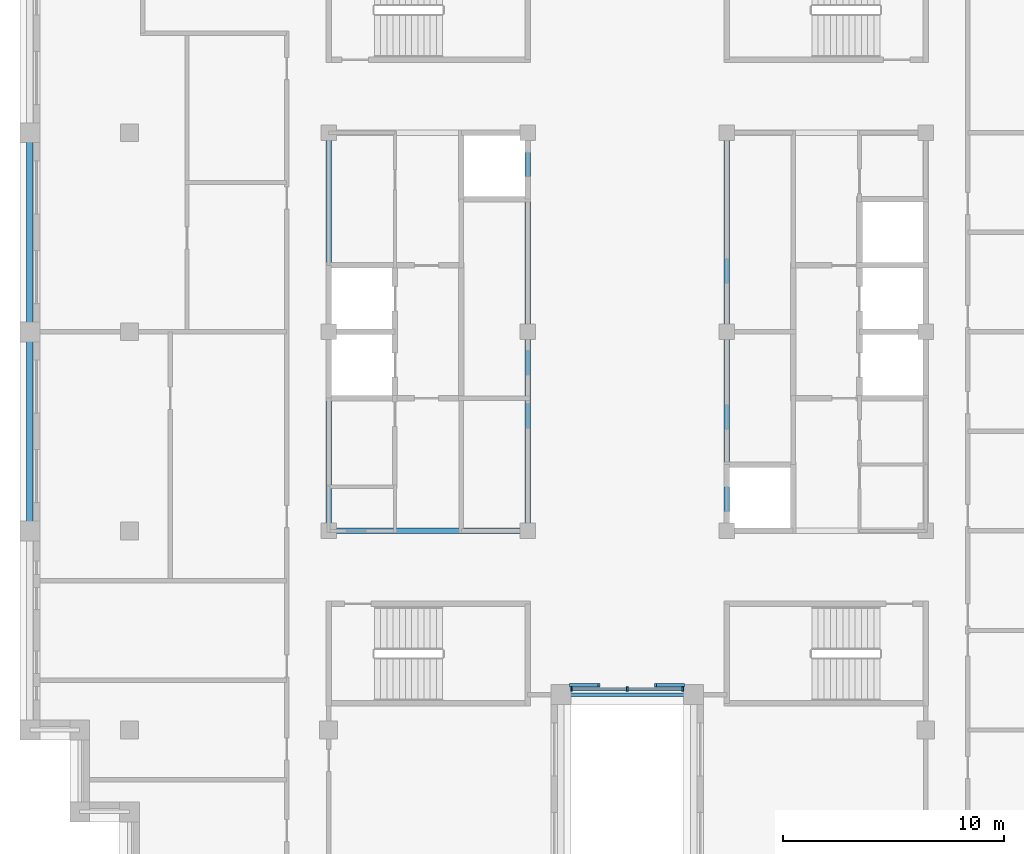
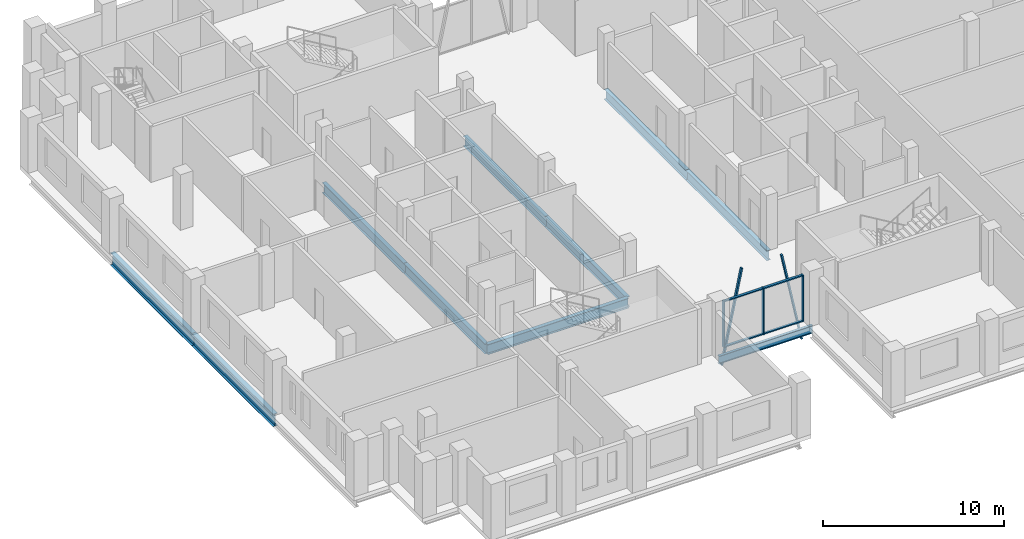
# One storey, part 2 of 13: 10 beams, 9 members, 1 element without a shape of its own.
"""IFC4 building model written with IfcOpenShell, lengths in metres."""

from ifc_helpers import new_model, si_unit, direction, frame, origin, origin_2d, place, context, subcontext, project, spatial, rectangle, i_section, extrude, material, layer, layer_set, material_profile, profile_set, type_object, element, aggregate, save


model = new_model("IFC4")

# Units and contexts
model_context = context("Model", 3, precision=1e-05, world=origin(), true_north=direction((0.0, 1.0)))
body_context = subcontext(model_context, "Body", "Model", "MODEL_VIEW")
ifc_project = project(units=[si_unit("LENGTHUNIT", "METRE"), si_unit("AREAUNIT", "SQUARE_METRE"), si_unit("VOLUMEUNIT", "CUBIC_METRE"), si_unit("PLANEANGLEUNIT", "RADIAN"), si_unit("MASSUNIT", "GRAM", prefix="KILO")], contexts=[model_context])

# Site, building, storey
site_placement = place(None, origin())
site = spatial("IfcSite", under=ifc_project, at=site_placement, CompositionType="ELEMENT")
building_placement = place(site_placement, origin())
building = spatial("IfcBuilding", under=site, at=building_placement, Name="Corbelhall Arena Tower", CompositionType="ELEMENT")
storey_placement = place(building_placement, frame((0.0, 0.0, 342.0)))
storey = spatial("IfcBuildingStorey", under=building, at=storey_placement, Name="L75", CompositionType="ELEMENT", Elevation=342.0)

# Curtain wall, members
ifc_material_1 = material(Name="Aluminium black anodised", Category="aluminium")
ifc_layer = layer(ifc_material_1, 0.199951171875)
ifc_layer_set = layer_set([ifc_layer], Name="EV-CW1 Slot back wall")
curtain_wall_type = type_object("IfcCurtainWallType", Name="EV-CW1 Slot back wall", PredefinedType="NOTDEFINED", material=ifc_layer_set)
curtain_wall_placement = place(storey_placement, origin())
curtain_wall = element("IfcCurtainWall", 1, at=curtain_wall_placement, inside=storey, type_object=curtain_wall_type, Name="Curtain wall CW1", PredefinedType="NOTDEFINED")
ifc_material_profile_1 = material_profile(ifc_material_1, rectangle(XDim=0.199951171875, YDim=0.074951171875, at=origin_2d()))
ifc_profile_set_1 = profile_set([ifc_material_profile_1], Name="Aluminium black anodised")
member_type_1 = type_object("IfcMemberType", Name="EV-CW1-MULLION", PredefinedType="MULLION", material=ifc_profile_set_1)
member_1_placement = place(storey_placement, frame((-2.512451171875, -16.14990234375, 0.0), z_axis=(0.0, 0.0, 1.0), x_axis=(0.0, 1.0, 0.0)))
member_1 = element("IfcMember", 2, at=member_1_placement, type_object=member_type_1, Name="CW1 mullion 1", PredefinedType="MULLION", context=body_context, shape_type="SweptSolid", body=[
    extrude(rectangle(XDim=0.199951171875, YDim=0.074951171875, at=origin_2d()), origin(), (0.0, 0.0, 1.0), 3.139892578125),
])
member_2_placement = place(storey_placement, frame((0.0, -16.14990234375, 0.0), z_axis=(0.0, 0.0, 1.0), x_axis=(0.0, 1.0, 0.0)))
member_2 = element("IfcMember", 3, at=member_2_placement, type_object=member_type_1, Name="CW1 mullion 2", PredefinedType="MULLION", context=body_context, shape_type="SweptSolid", body=[
    extrude(rectangle(XDim=0.199951171875, YDim=0.074951171875, at=origin_2d()), origin(), (0.0, 0.0, 1.0), 3.139892578125),
])
member_3_placement = place(storey_placement, frame((2.512451171875, -16.14990234375, 0.0), z_axis=(0.0, 0.0, 1.0), x_axis=(0.0, 1.0, 0.0)))
member_3 = element("IfcMember", 4, at=member_3_placement, type_object=member_type_1, Name="CW1 mullion 3", PredefinedType="MULLION", context=body_context, shape_type="SweptSolid", body=[
    extrude(rectangle(XDim=0.199951171875, YDim=0.074951171875, at=origin_2d()), origin(), (0.0, 0.0, 1.0), 3.139892578125),
])
ifc_material_profile_2 = material_profile(ifc_material_1, rectangle(XDim=0.14990234375, YDim=0.074951171875, at=origin_2d()))
ifc_profile_set_2 = profile_set([ifc_material_profile_2], Name="Aluminium black anodised")
member_type_2 = type_object("IfcMemberType", Name="EV-CW1-TRANSOM", PredefinedType="USERDEFINED", material=ifc_profile_set_2)
member_4_placement = place(storey_placement, frame((-2.47509765625, -16.14990234375, 0.03759765625), z_axis=(1.0, 0.0, 0.0), x_axis=(0.0, 1.0, 0.0)))
member_4 = element("IfcMember", 5, at=member_4_placement, type_object=member_type_2, Name="CW1 transom 1.1", ObjectType="transom", PredefinedType="USERDEFINED", context=body_context, shape_type="SweptSolid", body=[
    extrude(rectangle(XDim=0.14990234375, YDim=0.074951171875, at=origin_2d()), origin(), (0.0, 0.0, 1.0), 2.4375),
])
member_5_placement = place(storey_placement, frame((-2.47509765625, -16.14990234375, 3.1025390625), z_axis=(1.0, 0.0, 0.0), x_axis=(0.0, 1.0, 0.0)))
member_5 = element("IfcMember", 6, at=member_5_placement, type_object=member_type_2, Name="CW1 transom 1.2", ObjectType="transom", PredefinedType="USERDEFINED", context=body_context, shape_type="SweptSolid", body=[
    extrude(rectangle(XDim=0.14990234375, YDim=0.074951171875, at=origin_2d()), origin(), (0.0, 0.0, 1.0), 2.4375),
])
member_6_placement = place(storey_placement, frame((0.03759765625, -16.14990234375, 0.03759765625), z_axis=(1.0, 0.0, 0.0), x_axis=(0.0, 1.0, 0.0)))
member_6 = element("IfcMember", 7, at=member_6_placement, type_object=member_type_2, Name="CW1 transom 2.1", ObjectType="transom", PredefinedType="USERDEFINED", context=body_context, shape_type="SweptSolid", body=[
    extrude(rectangle(XDim=0.14990234375, YDim=0.074951171875, at=origin_2d()), origin(), (0.0, 0.0, 1.0), 2.4375),
])
member_7_placement = place(storey_placement, frame((0.03759765625, -16.14990234375, 3.1025390625), z_axis=(1.0, 0.0, 0.0), x_axis=(0.0, 1.0, 0.0)))
member_7 = element("IfcMember", 8, at=member_7_placement, type_object=member_type_2, Name="CW1 transom 2.2", ObjectType="transom", PredefinedType="USERDEFINED", context=body_context, shape_type="SweptSolid", body=[
    extrude(rectangle(XDim=0.14990234375, YDim=0.074951171875, at=origin_2d()), origin(), (0.0, 0.0, 1.0), 2.4375),
])
aggregate(curtain_wall, [member_1, member_2, member_3, member_4, member_5, member_6, member_7])

# Members
ifc_material_profile_3 = material_profile(ifc_material_1, rectangle(XDim=0.159912109375, YDim=0.10009765625, at=origin_2d()))
ifc_profile_set_3 = profile_set([ifc_material_profile_3], Name="Aluminium black anodised")
member_type_3 = type_object("IfcMemberType", Name="EV-TR1 Tracery bar", PredefinedType="USERDEFINED", material=ifc_profile_set_3)
for number, where, z_axis, x_axis, name in (
    (9, (-2.550048828125, -15.969970703125, -1.307373046875), (0.204144671158, 0.0, 0.978940730197), (0.0, 1.0, 0.0), "Tracery bar"),
    (10, (1.27490234375, -15.969970703125, 4.807373046875), (0.204144671158, 0.0, -0.978940730197), (0.0, 1.0, 0.0), "Tracery bar"),
):
    element("IfcMember", number, at=place(storey_placement, frame(where, z_axis=z_axis, x_axis=x_axis)), inside=storey, type_object=member_type_3, Name=name, ObjectType="TRACERY", PredefinedType="USERDEFINED", context=body_context, shape_type="SweptSolid", body=[
        extrude(rectangle(XDim=0.159912109375, YDim=0.10009765625, at=origin_2d()), origin(), (0.0, 0.0, 1.0), 6.246337890625),
    ])

# Beams
ifc_material_2 = material(Name="Steel ASTM A992 Gr50", Category="steel")
ifc_material_profile_4 = material_profile(ifc_material_2, i_section(OverallWidth=0.25390625, OverallDepth=0.67822265625, WebThickness=0.01171875, FlangeThickness=0.016357421875, at=origin_2d()))
ifc_profile_set_4 = profile_set([ifc_material_profile_4], Name="Steel ASTM A992 Gr50")
beam_type_1 = type_object("IfcBeamType", Name="ST-BEAM-W27x84", PredefinedType="BEAM", material=ifc_profile_set_4)
for number, where, z_axis, x_axis, name in (
    (11, (-13.5, -9.0, -0.59912109375), (0.0, 1.0, 0.0), (-1.0, 0.0, 0.0), "Beam CEW 1"),
    (12, (-13.5, 0.0, -0.59912109375), (0.0, 1.0, 0.0), (-1.0, 0.0, 0.0), "Beam CEW 2"),
    (13, (-4.5, -9.0, -0.59912109375), (0.0, 1.0, 0.0), (-1.0, 0.0, 0.0), "Beam CEW 3"),
    (14, (-4.5, 0.0, -0.59912109375), (0.0, 1.0, 0.0), (-1.0, 0.0, 0.0), "Beam CEW 4"),
    (15, (-13.5, -9.0, -0.59912109375), (1.0, 0.0, 0.0), (0.0, 1.0, 0.0), "Beam CEW 5"),
    (16, (4.5, -9.0, -0.59912109375), (0.0, 1.0, 0.0), (-1.0, 0.0, 0.0), "Beam CEE 7"),
    (17, (4.5, 0.0, -0.59912109375), (0.0, 1.0, 0.0), (-1.0, 0.0, 0.0), "Beam CEE 8"),
):
    element("IfcBeam", number, at=place(storey_placement, frame(where, z_axis=z_axis, x_axis=x_axis)), inside=storey, type_object=beam_type_1, Name=name, PredefinedType="BEAM", context=body_context, shape_type="SweptSolid", body=[
        extrude(i_section(OverallWidth=0.25390625, OverallDepth=0.67822265625, WebThickness=0.01171875, FlangeThickness=0.016357421875, at=origin_2d()), origin(), (0.0, 0.0, 1.0), 9.0),
    ])
ifc_material_profile_5 = material_profile(ifc_material_2, i_section(OverallWidth=0.16650390625, OverallDepth=0.535888671875, WebThickness=0.01025390625, FlangeThickness=0.0166015625, at=origin_2d()))
ifc_profile_set_5 = profile_set([ifc_material_profile_5], Name="Steel ASTM A992 Gr50")
beam_type_2 = type_object("IfcBeamType", Name="ST-SPANDREL-W21x57", PredefinedType="SPANDREL", material=ifc_profile_set_5)
beam_placement = place(storey_placement, frame((3.0, -16.39990234375, -0.528076171875), z_axis=(-1.0, 0.0, 0.0), x_axis=(0.0, -1.0, 0.0)))
element("IfcBeam", 18, at=beam_placement, inside=storey, type_object=beam_type_2, Name="Beam SP 33", PredefinedType="SPANDREL", context=body_context, shape_type="SweptSolid", body=[
    extrude(i_section(OverallWidth=0.16650390625, OverallDepth=0.535888671875, WebThickness=0.01025390625, FlangeThickness=0.0166015625, at=origin_2d()), origin(), (0.0, 0.0, 1.0), 6.0),
])
ifc_material_profile_6 = material_profile(ifc_material_2, i_section(OverallWidth=0.2919921875, OverallDepth=0.845703125, WebThickness=0.015380859375, FlangeThickness=0.0244140625, at=origin_2d()))
ifc_profile_set_6 = profile_set([ifc_material_profile_6], Name="Steel ASTM A992 Gr50")
beam_type_3 = type_object("IfcBeamType", Name="ST-SPANDREL-W33x141", PredefinedType="SPANDREL", material=ifc_profile_set_6)
for number, where, z_axis, x_axis, name in (
    (19, (-27.0, 0.0, -0.682861328125), (0.0, 1.0, 0.0), (-1.0, 0.0, 0.0), "Beam SP 26"),
    (20, (-27.0, -9.0, -0.682861328125), (0.0, 1.0, 0.0), (-1.0, 0.0, 0.0), "Beam SP 29"),
):
    element("IfcBeam", number, at=place(storey_placement, frame(where, z_axis=z_axis, x_axis=x_axis)), inside=storey, type_object=beam_type_3, Name=name, PredefinedType="SPANDREL", context=body_context, shape_type="SweptSolid", body=[
        extrude(i_section(OverallWidth=0.2919921875, OverallDepth=0.845703125, WebThickness=0.015380859375, FlangeThickness=0.0244140625, at=origin_2d()), origin(), (0.0, 0.0, 1.0), 9.0),
    ])

save(model, "model.ifc")
